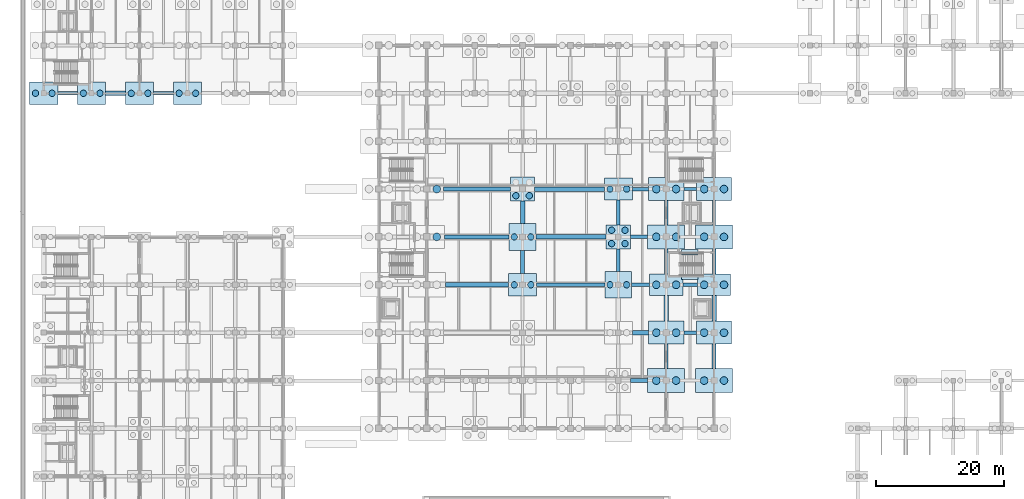
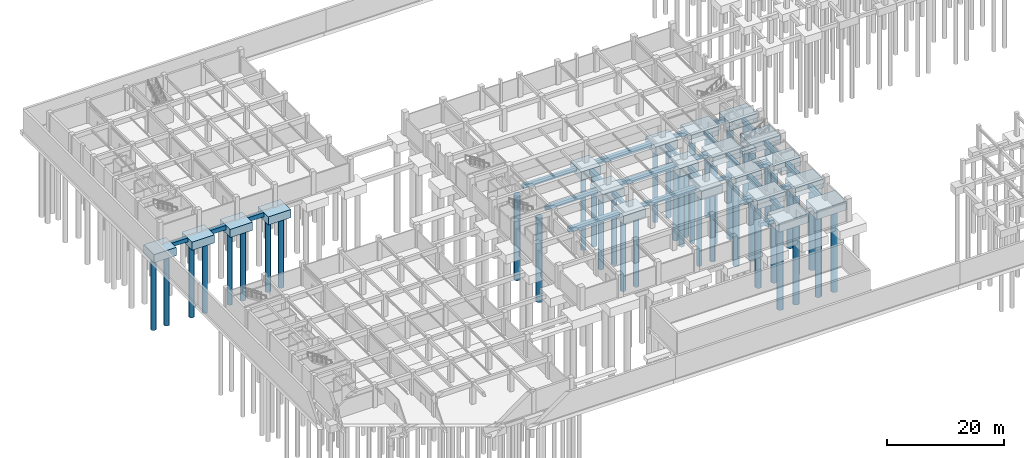
# One storey, part 5 of 38: 51 footings, 44 piles.
"""IFC4 building model written with IfcOpenShell, lengths in metres."""

from ifc_helpers import new_model, si_unit, direction, frame, origin, origin_2d, place, context, subcontext, project, spatial, polyline, rectangle, circle, outline, extrude, material, material_profile, profile_set, type_object, element, save


model = new_model("IFC4")

# Units and contexts
model_context = context("Model", 3, precision=1e-05, world=origin(), true_north=direction((0.0, 1.0)))
body_context = subcontext(model_context, "Body", "Model", "MODEL_VIEW")
ifc_project = project(units=[si_unit("LENGTHUNIT", "METRE"), si_unit("AREAUNIT", "SQUARE_METRE"), si_unit("VOLUMEUNIT", "CUBIC_METRE"), si_unit("PLANEANGLEUNIT", "RADIAN"), si_unit("MASSUNIT", "GRAM", prefix="KILO")], contexts=[model_context])

# Site, building, storey
site_placement = place(None, origin())
site = spatial("IfcSite", under=ifc_project, at=site_placement, CompositionType="ELEMENT")
building_placement = place(site_placement, origin())
building = spatial("IfcBuilding", under=site, at=building_placement, Name="Qasida Concert Hall", CompositionType="ELEMENT")
storey_placement = place(building_placement, frame((0.0, 0.0, -4.800048828125)))
storey = spatial("IfcBuildingStorey", under=building, at=storey_placement, Name="B1", CompositionType="ELEMENT", Elevation=-4.800048828125)

# Footings
ifc_material = material(Name="Concrete C40/50", Category="concrete")
footing_type_1 = type_object("IfcFootingType", Name="FT-GB-1", PredefinedType="FOOTING_BEAM", material=ifc_material)
footing_1_placement = place(storey_placement, frame((0.0, 0.0, -1.169921875)))
element("IfcFooting", 1, at=footing_1_placement, inside=storey, type_object=footing_type_1, Name="Ground tie beam GB-1 080", PredefinedType="FOOTING_BEAM", context=body_context, shape_type="SweptSolid", body=[
    extrude(outline(polyline([(92.10009765625, 44.75), (94.89990234375, 44.75), (94.89990234375, 45.25), (92.10009765625, 45.25), (92.10009765625, 44.75)])), origin(), (0.0, 0.0, 1.0), 0.75),
])
footing_2_placement = place(storey_placement, frame((0.0, 0.0, -1.169921875)))
element("IfcFooting", 2, at=footing_2_placement, inside=storey, type_object=footing_type_1, Name="Ground tie beam GB-1 096", PredefinedType="FOOTING_BEAM", context=body_context, shape_type="SweptSolid", body=[
    extrude(outline(polyline([(100.25, 59.75), (102.25, 59.75), (102.25, 60.25), (100.25, 60.25), (100.25, 59.75)])), origin(), (0.0, 0.0, 1.0), 0.75),
])
footing_3_placement = place(storey_placement, frame((0.0, 0.0, -1.169921875)))
element("IfcFooting", 3, at=footing_3_placement, inside=storey, type_object=footing_type_1, Name="Ground tie beam GB-1 288", PredefinedType="FOOTING_BEAM", context=body_context, shape_type="SweptSolid", body=[
    extrude(outline(polyline([(89.75, 54.39990234375), (90.25, 54.39990234375), (90.25, 58.25), (89.75, 58.25), (89.75, 54.39990234375)])), origin(), (0.0, 0.0, 1.0), 0.75),
])
footing_4_placement = place(storey_placement, frame((0.0, 0.0, -1.169921875)))
element("IfcFooting", 4, at=footing_4_placement, inside=storey, type_object=footing_type_1, Name="Ground tie beam GB-1 296", PredefinedType="FOOTING_BEAM", context=body_context, shape_type="SweptSolid", body=[
    extrude(outline(polyline([(97.25, 54.39990234375), (97.75, 54.39990234375), (97.75, 58.199951171875), (97.25, 58.199951171875), (97.25, 54.39990234375)])), origin(), (0.0, 0.0, 1.0), 0.75),
])
footing_5_placement = place(storey_placement, frame((0.0, 0.0, -1.169921875)))
element("IfcFooting", 5, at=footing_5_placement, inside=storey, type_object=footing_type_1, Name="Ground tie beam GB-1 304", PredefinedType="FOOTING_BEAM", context=body_context, shape_type="SweptSolid", body=[
    extrude(outline(polyline([(104.75, 54.39990234375), (105.25, 54.39990234375), (105.25, 58.199951171875), (104.75, 58.199951171875), (104.75, 54.39990234375)])), origin(), (0.0, 0.0, 1.0), 0.75),
])
footing_type_2 = type_object("IfcFootingType", Name="FT-GB-2", PredefinedType="FOOTING_BEAM", material=ifc_material)
footing_6_placement = place(storey_placement, frame((0.0, 0.0, -1.219970703125)))
element("IfcFooting", 6, at=footing_6_placement, inside=storey, type_object=footing_type_2, Name="Ground tie beam GB-2 057", PredefinedType="FOOTING_BEAM", context=body_context, shape_type="SweptSolid", body=[
    extrude(outline(polyline([(91.89990234375, 29.699951171875), (94.60009765625, 29.699951171875), (94.60009765625, 30.300048828125), (91.89990234375, 30.300048828125), (91.89990234375, 29.699951171875)])), origin(), (0.0, 0.0, 1.0), 0.800048828125),
])
footing_7_placement = place(storey_placement, frame((0.0, 0.0, -1.219970703125)))
element("IfcFooting", 7, at=footing_7_placement, inside=storey, type_object=footing_type_2, Name="Ground tie beam GB-2 081", PredefinedType="FOOTING_BEAM", context=body_context, shape_type="SweptSolid", body=[
    extrude(outline(polyline([(100.10009765625, 44.699951171875), (102.39990234375, 44.699951171875), (102.39990234375, 45.300048828125), (100.10009765625, 45.300048828125), (100.10009765625, 44.699951171875)])), origin(), (0.0, 0.0, 1.0), 0.800048828125),
])
footing_8_placement = place(storey_placement, frame((0.0, 0.0, -1.219970703125)))
element("IfcFooting", 8, at=footing_8_placement, inside=storey, type_object=footing_type_2, Name="Ground tie beam GB-2 089", PredefinedType="FOOTING_BEAM", context=body_context, shape_type="SweptSolid", body=[
    extrude(outline(polyline([(62.75, 52.199951171875), (72.89990234375, 52.199951171875), (72.89990234375, 52.800048828125), (62.75, 52.800048828125), (62.75, 52.199951171875)])), origin(), (0.0, 0.0, 1.0), 0.800048828125),
])
footing_9_placement = place(storey_placement, frame((0.0, 0.0, -1.219970703125)))
element("IfcFooting", 9, at=footing_9_placement, inside=storey, type_object=footing_type_2, Name="Ground tie beam GB-2 093", PredefinedType="FOOTING_BEAM", context=body_context, shape_type="SweptSolid", body=[
    extrude(outline(polyline([(62.60009765625, 59.699951171875), (73.10009765625, 59.699951171875), (73.10009765625, 60.300048828125), (62.60009765625, 60.300048828125), (62.60009765625, 59.699951171875)])), origin(), (0.0, 0.0, 1.0), 0.800048828125),
])
footing_10_placement = place(storey_placement, frame((0.0, 0.0, -1.219970703125)))
element("IfcFooting", 10, at=footing_10_placement, inside=storey, type_object=footing_type_2, Name="Ground tie beam GB-2 101", PredefinedType="FOOTING_BEAM", context=body_context, shape_type="SweptSolid", body=[
    extrude(outline(polyline([(2.199951171875, 74.699951171875), (5.300048828125, 74.699951171875), (5.300048828125, 75.300048828125), (2.199951171875, 75.300048828125), (2.199951171875, 74.699951171875)])), origin(), (0.0, 0.0, 1.0), 0.800048828125),
])
footing_11_placement = place(storey_placement, frame((0.0, 0.0, -1.219970703125)))
element("IfcFooting", 11, at=footing_11_placement, inside=storey, type_object=footing_type_2, Name="Ground tie beam GB-2 277", PredefinedType="FOOTING_BEAM", context=body_context, shape_type="SweptSolid", body=[
    extrude(outline(polyline([(74.699951171875, 46.75), (75.300048828125, 46.75), (75.300048828125, 50.39990234375), (74.699951171875, 50.39990234375), (74.699951171875, 46.75)])), origin(), (0.0, 0.0, 1.0), 0.800048828125),
])
footing_12_placement = place(storey_placement, frame((0.0, 0.0, -1.219970703125)))
element("IfcFooting", 12, at=footing_12_placement, inside=storey, type_object=footing_type_2, Name="Ground tie beam GB-2 293", PredefinedType="FOOTING_BEAM", context=body_context, shape_type="SweptSolid", body=[
    extrude(outline(polyline([(97.199951171875, 31.89990234375), (97.800048828125, 31.89990234375), (97.800048828125, 35.699951171875), (97.199951171875, 35.699951171875), (97.199951171875, 31.89990234375)])), origin(), (0.0, 0.0, 1.0), 0.800048828125),
])
footing_13_placement = place(storey_placement, frame((0.0, 0.0, -1.219970703125)))
element("IfcFooting", 13, at=footing_13_placement, inside=storey, type_object=footing_type_2, Name="Ground tie beam GB-2 301", PredefinedType="FOOTING_BEAM", context=body_context, shape_type="SweptSolid", body=[
    extrude(outline(polyline([(104.699951171875, 31.89990234375), (105.300048828125, 31.89990234375), (105.300048828125, 35.699951171875), (104.699951171875, 35.699951171875), (104.699951171875, 31.89990234375)])), origin(), (0.0, 0.0, 1.0), 0.800048828125),
])
footing_type_3 = type_object("IfcFootingType", Name="FT-GB-3", PredefinedType="FOOTING_BEAM", material=ifc_material)
footing_14_placement = place(storey_placement, frame((0.0, 0.0, -1.320068359375)))
element("IfcFooting", 14, at=footing_14_placement, inside=storey, type_object=footing_type_3, Name="Ground tie beam GB-3 070", PredefinedType="FOOTING_BEAM", context=body_context, shape_type="SweptSolid", body=[
    extrude(outline(polyline([(92.199951171875, 37.14990234375), (94.75, 37.14990234375), (94.75, 37.85009765625), (92.199951171875, 37.85009765625), (92.199951171875, 37.14990234375)])), origin(), (0.0, 0.0, 1.0), 0.900146484375),
])
footing_15_placement = place(storey_placement, frame((0.0, 0.0, -1.320068359375)))
element("IfcFooting", 15, at=footing_15_placement, inside=storey, type_object=footing_type_3, Name="Ground tie beam GB-3 078", PredefinedType="FOOTING_BEAM", context=body_context, shape_type="SweptSolid", body=[
    extrude(outline(polyline([(62.89990234375, 44.64990234375), (72.800048828125, 44.64990234375), (72.800048828125, 45.35009765625), (62.89990234375, 45.35009765625), (62.89990234375, 44.64990234375)])), origin(), (0.0, 0.0, 1.0), 0.900146484375),
])
footing_16_placement = place(storey_placement, frame((0.0, 0.0, -1.320068359375)))
element("IfcFooting", 16, at=footing_16_placement, inside=storey, type_object=footing_type_3, Name="Ground tie beam GB-3 090", PredefinedType="FOOTING_BEAM", context=body_context, shape_type="SweptSolid", body=[
    extrude(outline(polyline([(77.10009765625, 52.14990234375), (88.10009765625, 52.14990234375), (88.10009765625, 52.85009765625), (77.10009765625, 52.85009765625), (77.10009765625, 52.14990234375)])), origin(), (0.0, 0.0, 1.0), 0.900146484375),
])
footing_17_placement = place(storey_placement, frame((0.0, 0.0, -1.320068359375)))
element("IfcFooting", 17, at=footing_17_placement, inside=storey, type_object=footing_type_3, Name="Ground tie beam GB-3 094", PredefinedType="FOOTING_BEAM", context=body_context, shape_type="SweptSolid", body=[
    extrude(outline(polyline([(76.89990234375, 59.64990234375), (87.800048828125, 59.64990234375), (87.800048828125, 60.35009765625), (76.89990234375, 60.35009765625), (76.89990234375, 59.64990234375)])), origin(), (0.0, 0.0, 1.0), 0.900146484375),
])
footing_18_placement = place(storey_placement, frame((0.0, 0.0, -1.320068359375)))
element("IfcFooting", 18, at=footing_18_placement, inside=storey, type_object=footing_type_3, Name="Ground tie beam GB-3 102", PredefinedType="FOOTING_BEAM", context=body_context, shape_type="SweptSolid", body=[
    extrude(outline(polyline([(9.699951171875, 74.64990234375), (12.800048828125, 74.64990234375), (12.800048828125, 75.35009765625), (9.699951171875, 75.35009765625), (9.699951171875, 74.64990234375)])), origin(), (0.0, 0.0, 1.0), 0.900146484375),
])
footing_19_placement = place(storey_placement, frame((0.0, 0.0, -1.320068359375)))
element("IfcFooting", 19, at=footing_19_placement, inside=storey, type_object=footing_type_3, Name="Ground tie beam GB-3 278", PredefinedType="FOOTING_BEAM", context=body_context, shape_type="SweptSolid", body=[
    extrude(outline(polyline([(74.64990234375, 54.60009765625), (75.35009765625, 54.60009765625), (75.35009765625, 58.10009765625), (74.64990234375, 58.10009765625), (74.64990234375, 54.60009765625)])), origin(), (0.0, 0.0, 1.0), 0.900146484375),
])
footing_20_placement = place(storey_placement, frame((0.0, 0.0, -1.320068359375)))
element("IfcFooting", 20, at=footing_20_placement, inside=storey, type_object=footing_type_3, Name="Ground tie beam GB-3 294", PredefinedType="FOOTING_BEAM", context=body_context, shape_type="SweptSolid", body=[
    extrude(outline(polyline([(97.14990234375, 39.300048828125), (97.85009765625, 39.300048828125), (97.85009765625, 43.300048828125), (97.14990234375, 43.300048828125), (97.14990234375, 39.300048828125)])), origin(), (0.0, 0.0, 1.0), 0.900146484375),
])
footing_21_placement = place(storey_placement, frame((0.0, 0.0, -1.320068359375)))
element("IfcFooting", 21, at=footing_21_placement, inside=storey, type_object=footing_type_3, Name="Ground tie beam GB-3 302", PredefinedType="FOOTING_BEAM", context=body_context, shape_type="SweptSolid", body=[
    extrude(outline(polyline([(104.64990234375, 39.300048828125), (105.35009765625, 39.300048828125), (105.35009765625, 43.300048828125), (104.64990234375, 43.300048828125), (104.64990234375, 39.300048828125)])), origin(), (0.0, 0.0, 1.0), 0.900146484375),
])
footing_type_4 = type_object("IfcFootingType", Name="FT-GB-4", PredefinedType="FOOTING_BEAM", material=ifc_material)
footing_22_placement = place(storey_placement, frame((0.0, 0.0, -1.27001953125)))
element("IfcFooting", 22, at=footing_22_placement, inside=storey, type_object=footing_type_4, Name="Ground tie beam GB-4 071", PredefinedType="FOOTING_BEAM", context=body_context, shape_type="SweptSolid", body=[
    extrude(outline(polyline([(100.25, 37.22509765625), (102.25, 37.22509765625), (102.25, 37.77490234375), (100.25, 37.77490234375), (100.25, 37.22509765625)])), origin(), (0.0, 0.0, 1.0), 0.85009765625),
])
footing_23_placement = place(storey_placement, frame((0.0, 0.0, -1.27001953125)))
element("IfcFooting", 23, at=footing_23_placement, inside=storey, type_object=footing_type_4, Name="Ground tie beam GB-4 079", PredefinedType="FOOTING_BEAM", context=body_context, shape_type="SweptSolid", body=[
    extrude(outline(polyline([(77.199951171875, 44.72509765625), (87.89990234375, 44.72509765625), (87.89990234375, 45.27490234375), (77.199951171875, 45.27490234375), (77.199951171875, 44.72509765625)])), origin(), (0.0, 0.0, 1.0), 0.85009765625),
])
footing_24_placement = place(storey_placement, frame((0.0, 0.0, -1.27001953125)))
element("IfcFooting", 24, at=footing_24_placement, inside=storey, type_object=footing_type_4, Name="Ground tie beam GB-4 091", PredefinedType="FOOTING_BEAM", context=body_context, shape_type="SweptSolid", body=[
    extrude(outline(polyline([(91.89990234375, 52.22509765625), (94.60009765625, 52.22509765625), (94.60009765625, 52.77490234375), (91.89990234375, 52.77490234375), (91.89990234375, 52.22509765625)])), origin(), (0.0, 0.0, 1.0), 0.85009765625),
])
footing_25_placement = place(storey_placement, frame((0.0, 0.0, -1.27001953125)))
element("IfcFooting", 25, at=footing_25_placement, inside=storey, type_object=footing_type_4, Name="Ground tie beam GB-4 095", PredefinedType="FOOTING_BEAM", context=body_context, shape_type="SweptSolid", body=[
    extrude(outline(polyline([(92.199951171875, 59.72509765625), (94.75, 59.72509765625), (94.75, 60.27490234375), (92.199951171875, 60.27490234375), (92.199951171875, 59.72509765625)])), origin(), (0.0, 0.0, 1.0), 0.85009765625),
])
footing_26_placement = place(storey_placement, frame((0.0, 0.0, -1.27001953125)))
element("IfcFooting", 26, at=footing_26_placement, inside=storey, type_object=footing_type_4, Name="Ground tie beam GB-4 103", PredefinedType="FOOTING_BEAM", context=body_context, shape_type="SweptSolid", body=[
    extrude(outline(polyline([(17.199951171875, 74.72509765625), (20.300048828125, 74.72509765625), (20.300048828125, 75.27490234375), (17.199951171875, 75.27490234375), (17.199951171875, 74.72509765625)])), origin(), (0.0, 0.0, 1.0), 0.85009765625),
])
footing_27_placement = place(storey_placement, frame((0.0, 0.0, -1.27001953125)))
element("IfcFooting", 27, at=footing_27_placement, inside=storey, type_object=footing_type_4, Name="Ground tie beam GB-4 287", PredefinedType="FOOTING_BEAM", context=body_context, shape_type="SweptSolid", body=[
    extrude(outline(polyline([(89.72509765625, 47.10009765625), (90.27490234375, 47.10009765625), (90.27490234375, 50.60009765625), (89.72509765625, 50.60009765625), (89.72509765625, 47.10009765625)])), origin(), (0.0, 0.0, 1.0), 0.85009765625),
])
footing_28_placement = place(storey_placement, frame((0.0, 0.0, -1.27001953125)))
element("IfcFooting", 28, at=footing_28_placement, inside=storey, type_object=footing_type_4, Name="Ground tie beam GB-4 295", PredefinedType="FOOTING_BEAM", context=body_context, shape_type="SweptSolid", body=[
    extrude(outline(polyline([(97.22509765625, 46.699951171875), (97.77490234375, 46.699951171875), (97.77490234375, 50.60009765625), (97.22509765625, 50.60009765625), (97.22509765625, 46.699951171875)])), origin(), (0.0, 0.0, 1.0), 0.85009765625),
])
footing_29_placement = place(storey_placement, frame((0.0, 0.0, -1.27001953125)))
element("IfcFooting", 29, at=footing_29_placement, inside=storey, type_object=footing_type_4, Name="Ground tie beam GB-4 303", PredefinedType="FOOTING_BEAM", context=body_context, shape_type="SweptSolid", body=[
    extrude(outline(polyline([(104.72509765625, 46.699951171875), (105.27490234375, 46.699951171875), (105.27490234375, 50.60009765625), (104.72509765625, 50.60009765625), (104.72509765625, 46.699951171875)])), origin(), (0.0, 0.0, 1.0), 0.85009765625),
])
footing_type_5 = type_object("IfcFootingType", Name="FT-PC-4C", PredefinedType="PILE_CAP", material=ifc_material)
for number, where, z_axis, x_axis, name in (
    (30, (75.0, 60.0, -2.1201171875), (0.0, 0.0, 1.0), (1.0, 0.0, 0.0), "Pile cap PC-4C 028"),
    (31, (90.0, 52.5, -2.1201171875), (0.0, 0.0, 1.0), (1.0, 0.0, 0.0), "Pile cap PC-4C 040"),
):
    element("IfcFooting", number, at=place(storey_placement, frame(where, z_axis=z_axis, x_axis=x_axis)), inside=storey, type_object=footing_type_5, Name=name, PredefinedType="PILE_CAP", context=body_context, shape_type="SweptSolid", body=[
        extrude(rectangle(XDim=3.800048828125, YDim=3.800048828125, at=origin_2d()), origin(), (0.0, 0.0, 1.0), 1.699951171875),
    ])
footing_type_6 = type_object("IfcFootingType", Name="FT-PC-4D", PredefinedType="PILE_CAP", material=ifc_material)
for number, where, z_axis, x_axis, name in (
    (32, (75.0, 52.5, -2.22021484375), (0.0, 0.0, 1.0), (1.0, 0.0, 0.0), "Pile cap PC-4D 027"),
    (33, (90.0, 45.0, -2.22021484375), (0.0, 0.0, 1.0), (1.0, 0.0, 0.0), "Pile cap PC-4D 039"),
):
    element("IfcFooting", number, at=place(storey_placement, frame(where, z_axis=z_axis, x_axis=x_axis)), inside=storey, type_object=footing_type_6, Name=name, PredefinedType="PILE_CAP", context=body_context, shape_type="SweptSolid", body=[
        extrude(rectangle(XDim=4.199951171875, YDim=4.199951171875, at=origin_2d()), origin(), (0.0, 0.0, 1.0), 1.800048828125),
    ])
footing_type_7 = type_object("IfcFootingType", Name="FT-PC-4F", PredefinedType="PILE_CAP", material=ifc_material)
for number, where, z_axis, x_axis, name in (
    (34, (75.0, 45.0, -2.1201171875), (0.0, 0.0, 1.0), (1.0, 0.0, 0.0), "Pile cap PC-4F 026"),
    (35, (90.0, 60.0, -2.1201171875), (0.0, 0.0, 1.0), (1.0, 0.0, 0.0), "Pile cap PC-4F 041"),
    (36, (0.0, 75.0, -2.1201171875), (0.0, 0.0, 1.0), (1.0, 0.0, 0.0), "Pile cap PC-4F 179"),
    (37, (7.5, 75.0, -2.1201171875), (0.0, 0.0, 1.0), (1.0, 0.0, 0.0), "Pile cap PC-4F 185"),
    (38, (15.0, 75.0, -2.1201171875), (0.0, 0.0, 1.0), (1.0, 0.0, 0.0), "Pile cap PC-4F 191"),
    (39, (22.5, 75.0, -2.1201171875), (0.0, 0.0, 1.0), (1.0, 0.0, 0.0), "Pile cap PC-4F 197"),
):
    element("IfcFooting", number, at=place(storey_placement, frame(where, z_axis=z_axis, x_axis=x_axis)), inside=storey, type_object=footing_type_7, Name=name, PredefinedType="PILE_CAP", context=body_context, shape_type="SweptSolid", body=[
        extrude(rectangle(XDim=4.39990234375, YDim=3.5, at=origin_2d()), origin(), (0.0, 0.0, 1.0), 1.699951171875),
    ])
footing_type_8 = type_object("IfcFootingType", Name="FT-PC-6A", PredefinedType="PILE_CAP", material=ifc_material)
for number, where, z_axis, x_axis, name in (
    (40, (97.5, 45.0, -2.169921875), (0.0, 0.0, 1.0), (1.0, 0.0, 0.0), "Pile cap PC-6A 048"),
    (41, (105.0, 45.0, -2.169921875), (0.0, 0.0, 1.0), (1.0, 0.0, 0.0), "Pile cap PC-6A 057"),
):
    element("IfcFooting", number, at=place(storey_placement, frame(where, z_axis=z_axis, x_axis=x_axis)), inside=storey, type_object=footing_type_8, Name=name, PredefinedType="PILE_CAP", context=body_context, shape_type="SweptSolid", body=[
        extrude(rectangle(XDim=5.199951171875, YDim=3.39990234375, at=origin_2d()), origin(), (0.0, 0.0, 1.0), 1.75),
    ])
footing_type_9 = type_object("IfcFootingType", Name="FT-PC-6B", PredefinedType="PILE_CAP", material=ifc_material)
for number, where, z_axis, x_axis, name in (
    (42, (97.5, 30.0, -2.27001953125), (0.0, 0.0, 1.0), (1.0, 0.0, 0.0), "Pile cap PC-6B 046"),
    (43, (97.5, 52.5, -2.27001953125), (0.0, 0.0, 1.0), (1.0, 0.0, 0.0), "Pile cap PC-6B 049"),
    (44, (105.0, 30.0, -2.27001953125), (0.0, 0.0, 1.0), (1.0, 0.0, 0.0), "Pile cap PC-6B 055"),
    (45, (105.0, 52.5, -2.27001953125), (0.0, 0.0, 1.0), (1.0, 0.0, 0.0), "Pile cap PC-6B 058"),
):
    element("IfcFooting", number, at=place(storey_placement, frame(where, z_axis=z_axis, x_axis=x_axis)), inside=storey, type_object=footing_type_9, Name=name, PredefinedType="PILE_CAP", context=body_context, shape_type="SweptSolid", body=[
        extrude(rectangle(XDim=5.800048828125, YDim=3.800048828125, at=origin_2d()), origin(), (0.0, 0.0, 1.0), 1.85009765625),
    ])
footing_type_10 = type_object("IfcFootingType", Name="FT-PC-6C", PredefinedType="PILE_CAP", material=ifc_material)
for number, where, z_axis, x_axis, name in (
    (46, (97.5, 37.5, -2.22021484375), (0.0, 0.0, 1.0), (1.0, 0.0, 0.0), "Pile cap PC-6C 047"),
    (47, (97.5, 60.0, -2.22021484375), (0.0, 0.0, 1.0), (1.0, 0.0, 0.0), "Pile cap PC-6C 050"),
    (48, (105.0, 37.5, -2.22021484375), (0.0, 0.0, 1.0), (1.0, 0.0, 0.0), "Pile cap PC-6C 056"),
    (49, (105.0, 60.0, -2.22021484375), (0.0, 0.0, 1.0), (1.0, 0.0, 0.0), "Pile cap PC-6C 059"),
):
    element("IfcFooting", number, at=place(storey_placement, frame(where, z_axis=z_axis, x_axis=x_axis)), inside=storey, type_object=footing_type_10, Name=name, PredefinedType="PILE_CAP", context=body_context, shape_type="SweptSolid", body=[
        extrude(rectangle(XDim=5.5, YDim=3.60009765625, at=origin_2d()), origin(), (0.0, 0.0, 1.0), 1.800048828125),
    ])
footing_type_11 = type_object("IfcFootingType", Name="FT-SF-1C", PredefinedType="STRIP_FOOTING", material=ifc_material)
footing_30_placement = place(storey_placement, frame((0.0, 0.0, -1.050048828125)))
element("IfcFooting", 50, at=footing_30_placement, inside=storey, type_object=footing_type_11, Name="B1 ST02 stairwell strip footing S", PredefinedType="STRIP_FOOTING", context=body_context, shape_type="SweptSolid", body=[
    extrude(outline(polyline([(99.89990234375, 45.824951171875), (102.5, 45.824951171875), (102.5, 46.72509765625), (99.89990234375, 46.72509765625), (99.89990234375, 45.824951171875)])), origin(), (0.0, 0.0, 1.0), 0.630126953125),
])
footing_31_placement = place(storey_placement, frame((0.0, 0.0, -1.050048828125)))
element("IfcFooting", 51, at=footing_31_placement, inside=storey, type_object=footing_type_11, Name="B1 ST02 stairwell strip footing N", PredefinedType="STRIP_FOOTING", context=body_context, shape_type="SweptSolid", body=[
    extrude(outline(polyline([(99.89990234375, 49.635009765625), (102.5, 49.635009765625), (102.5, 50.534912109375), (99.89990234375, 50.534912109375), (99.89990234375, 49.635009765625)])), origin(), (0.0, 0.0, 1.0), 0.630126953125),
])

# Piles
ifc_material_profile_1 = material_profile(ifc_material, circle(Radius=0.5, at=origin_2d()), Name="BORED PILE D1000")
ifc_profile_set_1 = profile_set([ifc_material_profile_1], Name="Concrete C40/50")
pile_type_1 = type_object("IfcPileType", Name="PL-BORED-1000", PredefinedType="BORED", material=ifc_profile_set_1)
for number, where, z_axis, x_axis, name in (
    (52, (73.699951171875, 45.0, -2.02001953125), (0.0, 0.0, -1.0), (1.0, 0.0, 0.0), "Bored pile 0057"),
    (53, (76.300048828125, 45.0, -2.02001953125), (0.0, 0.0, -1.0), (1.0, 0.0, 0.0), "Bored pile 0058"),
):
    element("IfcPile", number, at=place(storey_placement, frame(where, z_axis=z_axis, x_axis=x_axis)), inside=storey, type_object=pile_type_1, Name=name, PredefinedType="BORED", context=body_context, shape_type="SweptSolid", body=[
        extrude(circle(Radius=0.5, at=origin_2d()), origin(), (0.0, 0.0, 1.0), 15.179931640625),
    ])
for number, where, z_axis, x_axis, name in (
    (54, (73.699951171875, 52.5, -2.119873046875), (0.0, 0.0, -1.0), (1.0, 0.0, 0.0), "Bored pile 0059"),
    (55, (76.300048828125, 52.5, -2.119873046875), (0.0, 0.0, -1.0), (1.0, 0.0, 0.0), "Bored pile 0060"),
):
    element("IfcPile", number, at=place(storey_placement, frame(where, z_axis=z_axis, x_axis=x_axis)), inside=storey, type_object=pile_type_1, Name=name, PredefinedType="BORED", context=body_context, shape_type="SweptSolid", body=[
        extrude(circle(Radius=0.5, at=origin_2d()), origin(), (0.0, 0.0, 1.0), 15.080078125),
    ])
for number, where, z_axis, x_axis, name in (
    (56, (73.949951171875, 58.949951171875, -2.02001953125), (0.0, 0.0, -1.0), (1.0, 0.0, 0.0), "Bored pile 0061"),
    (57, (76.050048828125, 58.949951171875, -2.02001953125), (0.0, 0.0, -1.0), (1.0, 0.0, 0.0), "Bored pile 0062"),
):
    element("IfcPile", number, at=place(storey_placement, frame(where, z_axis=z_axis, x_axis=x_axis)), inside=storey, type_object=pile_type_1, Name=name, PredefinedType="BORED", context=body_context, shape_type="SweptSolid", body=[
        extrude(circle(Radius=0.5, at=origin_2d()), origin(), (0.0, 0.0, 1.0), 15.179931640625),
    ])
for number, where, z_axis, x_axis, name in (
    (58, (88.699951171875, 45.0, -2.119873046875), (0.0, 0.0, -1.0), (1.0, 0.0, 0.0), "Bored pile 0091"),
    (59, (91.300048828125, 45.0, -2.119873046875), (0.0, 0.0, -1.0), (1.0, 0.0, 0.0), "Bored pile 0092"),
):
    element("IfcPile", number, at=place(storey_placement, frame(where, z_axis=z_axis, x_axis=x_axis)), inside=storey, type_object=pile_type_1, Name=name, PredefinedType="BORED", context=body_context, shape_type="SweptSolid", body=[
        extrude(circle(Radius=0.5, at=origin_2d()), origin(), (0.0, 0.0, 1.0), 15.080078125),
    ])
for number, where, z_axis, x_axis, name in (
    (60, (88.949951171875, 51.449951171875, -2.02001953125), (0.0, 0.0, -1.0), (1.0, 0.0, 0.0), "Bored pile 0093"),
    (61, (91.050048828125, 51.449951171875, -2.02001953125), (0.0, 0.0, -1.0), (1.0, 0.0, 0.0), "Bored pile 0094"),
    (62, (88.949951171875, 53.550048828125, -2.02001953125), (0.0, 0.0, -1.0), (1.0, 0.0, 0.0), "Bored pile 0095"),
    (63, (91.050048828125, 53.550048828125, -2.02001953125), (0.0, 0.0, -1.0), (1.0, 0.0, 0.0), "Bored pile 0096"),
    (64, (88.699951171875, 60.0, -2.02001953125), (0.0, 0.0, -1.0), (1.0, 0.0, 0.0), "Bored pile 0097"),
    (65, (91.300048828125, 60.0, -2.02001953125), (0.0, 0.0, -1.0), (1.0, 0.0, 0.0), "Bored pile 0098"),
    (66, (-1.300048828125, 75.0, -2.02001953125), (0.0, 0.0, -1.0), (1.0, 0.0, 0.0), "Bored pile 0409"),
    (67, (1.300048828125, 75.0, -2.02001953125), (0.0, 0.0, -1.0), (1.0, 0.0, 0.0), "Bored pile 0410"),
    (68, (6.199951171875, 75.0, -2.02001953125), (0.0, 0.0, -1.0), (1.0, 0.0, 0.0), "Bored pile 0425"),
    (69, (8.800048828125, 75.0, -2.02001953125), (0.0, 0.0, -1.0), (1.0, 0.0, 0.0), "Bored pile 0426"),
    (70, (13.699951171875, 75.0, -2.02001953125), (0.0, 0.0, -1.0), (1.0, 0.0, 0.0), "Bored pile 0441"),
    (71, (16.300048828125, 75.0, -2.02001953125), (0.0, 0.0, -1.0), (1.0, 0.0, 0.0), "Bored pile 0442"),
    (72, (21.199951171875, 75.0, -2.02001953125), (0.0, 0.0, -1.0), (1.0, 0.0, 0.0), "Bored pile 0457"),
    (73, (23.800048828125, 75.0, -2.02001953125), (0.0, 0.0, -1.0), (1.0, 0.0, 0.0), "Bored pile 0458"),
):
    element("IfcPile", number, at=place(storey_placement, frame(where, z_axis=z_axis, x_axis=x_axis)), inside=storey, type_object=pile_type_1, Name=name, PredefinedType="BORED", context=body_context, shape_type="SweptSolid", body=[
        extrude(circle(Radius=0.5, at=origin_2d()), origin(), (0.0, 0.0, 1.0), 15.179931640625),
    ])
ifc_material_profile_2 = material_profile(ifc_material, circle(Radius=0.60009765625, at=origin_2d()), Name="BORED PILE D1200")
ifc_profile_set_2 = profile_set([ifc_material_profile_2], Name="Concrete C40/50")
pile_type_2 = type_object("IfcPileType", Name="PL-BORED-1200", PredefinedType="BORED", material=ifc_profile_set_2)
pile_1_placement = place(storey_placement, frame((61.550048828125, 52.5, -2.119873046875), z_axis=(0.0, 0.0, -1.0), x_axis=(1.0, 0.0, 0.0)))
element("IfcPile", 74, at=pile_1_placement, inside=storey, type_object=pile_type_2, Name="Bored pile 0028", PredefinedType="BORED", context=body_context, shape_type="SweptSolid", body=[
    extrude(circle(Radius=0.60009765625, at=origin_2d()), origin(), (0.0, 0.0, 1.0), 17.580078125),
])
pile_2_placement = place(storey_placement, frame((61.550048828125, 60.0, -2.070068359375), z_axis=(0.0, 0.0, -1.0), x_axis=(1.0, 0.0, 0.0)))
element("IfcPile", 75, at=pile_2_placement, inside=storey, type_object=pile_type_2, Name="Bored pile 0030", PredefinedType="BORED", context=body_context, shape_type="SweptSolid", body=[
    extrude(circle(Radius=0.60009765625, at=origin_2d()), origin(), (0.0, 0.0, 1.0), 17.6298828125),
])
for number, where, z_axis, x_axis, name in (
    (76, (95.949951171875, 30.0, -2.169921875), (0.0, 0.0, -1.0), (1.0, 0.0, 0.0), "Bored pile 0109"),
    (77, (99.050048828125, 30.0, -2.169921875), (0.0, 0.0, -1.0), (1.0, 0.0, 0.0), "Bored pile 0110"),
):
    element("IfcPile", number, at=place(storey_placement, frame(where, z_axis=z_axis, x_axis=x_axis)), inside=storey, type_object=pile_type_2, Name=name, PredefinedType="BORED", context=body_context, shape_type="SweptSolid", body=[
        extrude(circle(Radius=0.60009765625, at=origin_2d()), origin(), (0.0, 0.0, 1.0), 17.530029296875),
    ])
for number, where, z_axis, x_axis, name in (
    (78, (95.949951171875, 37.5, -2.119873046875), (0.0, 0.0, -1.0), (1.0, 0.0, 0.0), "Bored pile 0111"),
    (79, (99.050048828125, 37.5, -2.119873046875), (0.0, 0.0, -1.0), (1.0, 0.0, 0.0), "Bored pile 0112"),
):
    element("IfcPile", number, at=place(storey_placement, frame(where, z_axis=z_axis, x_axis=x_axis)), inside=storey, type_object=pile_type_2, Name=name, PredefinedType="BORED", context=body_context, shape_type="SweptSolid", body=[
        extrude(circle(Radius=0.60009765625, at=origin_2d()), origin(), (0.0, 0.0, 1.0), 17.580078125),
    ])
for number, where, z_axis, x_axis, name in (
    (80, (95.949951171875, 45.0, -2.070068359375), (0.0, 0.0, -1.0), (1.0, 0.0, 0.0), "Bored pile 0113"),
    (81, (99.050048828125, 45.0, -2.070068359375), (0.0, 0.0, -1.0), (1.0, 0.0, 0.0), "Bored pile 0114"),
):
    element("IfcPile", number, at=place(storey_placement, frame(where, z_axis=z_axis, x_axis=x_axis)), inside=storey, type_object=pile_type_2, Name=name, PredefinedType="BORED", context=body_context, shape_type="SweptSolid", body=[
        extrude(circle(Radius=0.60009765625, at=origin_2d()), origin(), (0.0, 0.0, 1.0), 17.6298828125),
    ])
for number, where, z_axis, x_axis, name in (
    (82, (95.949951171875, 52.5, -2.169921875), (0.0, 0.0, -1.0), (1.0, 0.0, 0.0), "Bored pile 0115"),
    (83, (99.050048828125, 52.5, -2.169921875), (0.0, 0.0, -1.0), (1.0, 0.0, 0.0), "Bored pile 0116"),
):
    element("IfcPile", number, at=place(storey_placement, frame(where, z_axis=z_axis, x_axis=x_axis)), inside=storey, type_object=pile_type_2, Name=name, PredefinedType="BORED", context=body_context, shape_type="SweptSolid", body=[
        extrude(circle(Radius=0.60009765625, at=origin_2d()), origin(), (0.0, 0.0, 1.0), 17.530029296875),
    ])
for number, where, z_axis, x_axis, name in (
    (84, (95.949951171875, 60.0, -2.119873046875), (0.0, 0.0, -1.0), (1.0, 0.0, 0.0), "Bored pile 0117"),
    (85, (99.050048828125, 60.0, -2.119873046875), (0.0, 0.0, -1.0), (1.0, 0.0, 0.0), "Bored pile 0118"),
):
    element("IfcPile", number, at=place(storey_placement, frame(where, z_axis=z_axis, x_axis=x_axis)), inside=storey, type_object=pile_type_2, Name=name, PredefinedType="BORED", context=body_context, shape_type="SweptSolid", body=[
        extrude(circle(Radius=0.60009765625, at=origin_2d()), origin(), (0.0, 0.0, 1.0), 17.580078125),
    ])
for number, where, z_axis, x_axis, name in (
    (86, (103.449951171875, 30.0, -2.169921875), (0.0, 0.0, -1.0), (1.0, 0.0, 0.0), "Bored pile 0127"),
    (87, (106.550048828125, 30.0, -2.169921875), (0.0, 0.0, -1.0), (1.0, 0.0, 0.0), "Bored pile 0128"),
):
    element("IfcPile", number, at=place(storey_placement, frame(where, z_axis=z_axis, x_axis=x_axis)), inside=storey, type_object=pile_type_2, Name=name, PredefinedType="BORED", context=body_context, shape_type="SweptSolid", body=[
        extrude(circle(Radius=0.60009765625, at=origin_2d()), origin(), (0.0, 0.0, 1.0), 17.530029296875),
    ])
for number, where, z_axis, x_axis, name in (
    (88, (103.449951171875, 37.5, -2.119873046875), (0.0, 0.0, -1.0), (1.0, 0.0, 0.0), "Bored pile 0129"),
    (89, (106.550048828125, 37.5, -2.119873046875), (0.0, 0.0, -1.0), (1.0, 0.0, 0.0), "Bored pile 0130"),
):
    element("IfcPile", number, at=place(storey_placement, frame(where, z_axis=z_axis, x_axis=x_axis)), inside=storey, type_object=pile_type_2, Name=name, PredefinedType="BORED", context=body_context, shape_type="SweptSolid", body=[
        extrude(circle(Radius=0.60009765625, at=origin_2d()), origin(), (0.0, 0.0, 1.0), 17.580078125),
    ])
for number, where, z_axis, x_axis, name in (
    (90, (103.449951171875, 45.0, -2.070068359375), (0.0, 0.0, -1.0), (1.0, 0.0, 0.0), "Bored pile 0131"),
    (91, (106.550048828125, 45.0, -2.070068359375), (0.0, 0.0, -1.0), (1.0, 0.0, 0.0), "Bored pile 0132"),
):
    element("IfcPile", number, at=place(storey_placement, frame(where, z_axis=z_axis, x_axis=x_axis)), inside=storey, type_object=pile_type_2, Name=name, PredefinedType="BORED", context=body_context, shape_type="SweptSolid", body=[
        extrude(circle(Radius=0.60009765625, at=origin_2d()), origin(), (0.0, 0.0, 1.0), 17.6298828125),
    ])
for number, where, z_axis, x_axis, name in (
    (92, (103.449951171875, 52.5, -2.169921875), (0.0, 0.0, -1.0), (1.0, 0.0, 0.0), "Bored pile 0133"),
    (93, (106.550048828125, 52.5, -2.169921875), (0.0, 0.0, -1.0), (1.0, 0.0, 0.0), "Bored pile 0134"),
):
    element("IfcPile", number, at=place(storey_placement, frame(where, z_axis=z_axis, x_axis=x_axis)), inside=storey, type_object=pile_type_2, Name=name, PredefinedType="BORED", context=body_context, shape_type="SweptSolid", body=[
        extrude(circle(Radius=0.60009765625, at=origin_2d()), origin(), (0.0, 0.0, 1.0), 17.530029296875),
    ])
for number, where, z_axis, x_axis, name in (
    (94, (103.449951171875, 60.0, -2.119873046875), (0.0, 0.0, -1.0), (1.0, 0.0, 0.0), "Bored pile 0135"),
    (95, (106.550048828125, 60.0, -2.119873046875), (0.0, 0.0, -1.0), (1.0, 0.0, 0.0), "Bored pile 0136"),
):
    element("IfcPile", number, at=place(storey_placement, frame(where, z_axis=z_axis, x_axis=x_axis)), inside=storey, type_object=pile_type_2, Name=name, PredefinedType="BORED", context=body_context, shape_type="SweptSolid", body=[
        extrude(circle(Radius=0.60009765625, at=origin_2d()), origin(), (0.0, 0.0, 1.0), 17.580078125),
    ])

save(model, "model.ifc")
